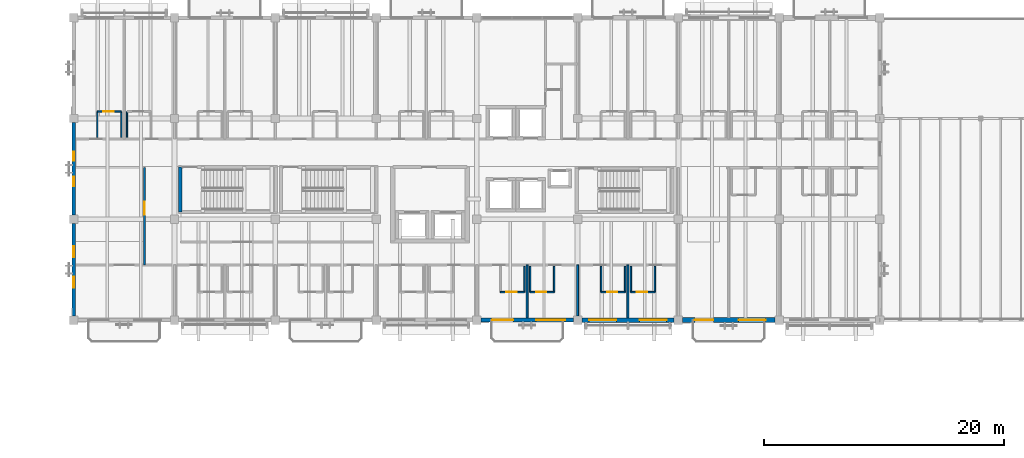
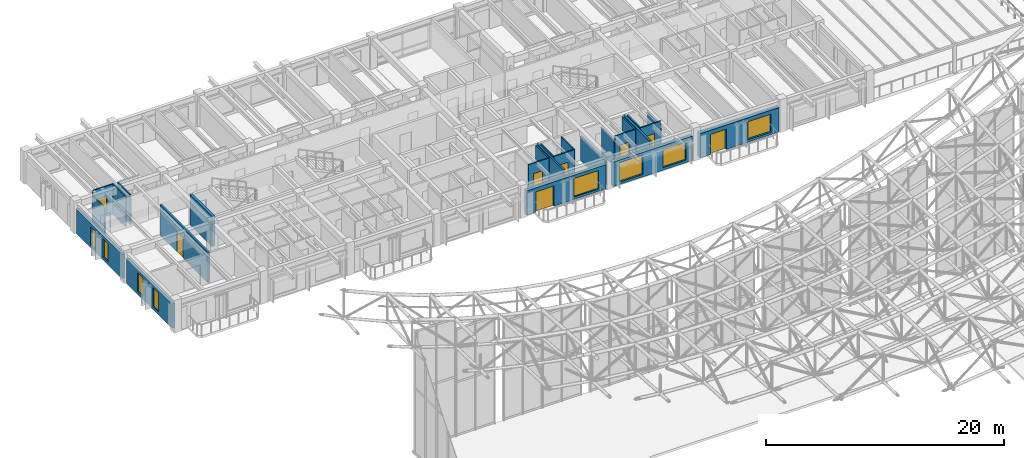
# One storey, part 78 of 93: 25 walls, 8 doors, 8 windows, 16 openings.
"""IFC4 building model written with IfcOpenShell, lengths in metres."""

from ifc_helpers import new_model, si_unit, direction, frame, frame_2d, origin, place, context, subcontext, project, spatial, rectangle, extrude, material, layer, layer_set, type_object, element, fill, save


model = new_model("IFC4")

# Units and contexts
model_context = context("Model", 3, precision=1e-05, world=origin(), true_north=direction((0.0, 1.0)))
body_context = subcontext(model_context, "Body", "Model", "MODEL_VIEW")
ifc_project = project(units=[si_unit("LENGTHUNIT", "METRE"), si_unit("AREAUNIT", "SQUARE_METRE"), si_unit("VOLUMEUNIT", "CUBIC_METRE"), si_unit("PLANEANGLEUNIT", "RADIAN"), si_unit("MASSUNIT", "GRAM", prefix="KILO")], contexts=[model_context])

# Site, building, storey
site_placement = place(None, origin())
site = spatial("IfcSite", under=ifc_project, at=site_placement, CompositionType="ELEMENT")
building_placement = place(site_placement, origin())
building = spatial("IfcBuilding", under=site, at=building_placement, Name="Cumbredor Promenade Congress Hotel", CompositionType="ELEMENT")
storey_placement = place(building_placement, frame((0.0, 0.0, 21.840087890625)))
storey = spatial("IfcBuildingStorey", under=building, at=storey_placement, Name="L06", CompositionType="ELEMENT", Elevation=21.840087890625)

# Wall, opening, door
ifc_material_1 = material(Name="Moisture-resistant gypsum board on steel studs", Category="steel")
ifc_layer_1 = layer(ifc_material_1, 0.114990234375, Name="Moisture-resistant gypsum board on steel studs", Category="steel")
ifc_layer_set_1 = layer_set([ifc_layer_1], Name="Moisture-resistant gypsum board on steel studs")
wall_type_1 = type_object("IfcWallType", Name="WL-BATH-115", PredefinedType="PARTITIONING", material=ifc_layer_set_1)
wall_1_placement = place(storey_placement, frame((1.9599609375, 109.77001953125, 0.0), z_axis=(0.0, 0.0, 1.0), x_axis=(1.0, 0.0, 0.0)))
wall_1 = element("IfcWall", 1, at=wall_1_placement, inside=storey, type_object=wall_type_1, Name="L06 Interior Partition W-L06-BH-0601", PredefinedType="PARTITIONING", context=body_context, shape_type="SweptSolid", body=[
    extrude(rectangle(XDim=2.0, YDim=0.114990234375, at=frame_2d((1.0, 0.0))), origin(), (0.0, 0.0, 1.0), 3.119873046875),
])
opening_1_placement = place(wall_1_placement, frame((0.5, 0.0, 0.0)))
opening_1 = element("IfcOpeningElement", 2, at=opening_1_placement, cuts=wall_1, Name="Opening ID-01", PredefinedType="OPENING", context=body_context, shape_type="SweptSolid", body=[
    extrude(rectangle(XDim=0.860107421875, YDim=2.050048828125, at=frame_2d((0.43017578125, 1.02490234375))), frame((0.0, 0.0673828125, 0.0), z_axis=(0.0, -1.0, 0.0), x_axis=(1.0, 0.0, 0.0)), (0.0, 0.0, 1.0), 0.135009765625),
])
ifc_material_2 = material(Name="Kiln-dried tropical hardwood", Category="wood")
door_type_1 = type_object("IfcDoorType", Name="DR-BATH-860", OperationType="NOTDEFINED", PredefinedType="DOOR", material=ifc_material_2)
door_1_placement = place(opening_1_placement, origin())
door_1 = element("IfcDoor", 3, at=door_1_placement, inside=storey, type_object=door_type_1, Name="L06 Interior Door W-L06-BH-0601-01", OperationType="SINGLE_SWING_LEFT", OverallHeight=2.050048828125, OverallWidth=0.860107421875, PredefinedType="DOOR", context=body_context, shape_type="SweptSolid", body=[
    extrude(rectangle(XDim=0.860107421875, YDim=2.050048828125, at=frame_2d((0.43017578125, 1.02490234375))), frame((0.0, 0.02490234375, 0.0), z_axis=(0.0, -1.0, 0.0), x_axis=(1.0, 0.0, 0.0)), (0.0, 0.0, 1.0), 0.050048828125),
])
fill(opening_1, door_1)

# Walls
wall_2_placement = place(storey_placement, frame((1.9599609375, 107.6201171875, 0.0), z_axis=(0.0, 0.0, 1.0), x_axis=(0.0, 1.0, 0.0)))
element("IfcWall", 4, at=wall_2_placement, inside=storey, type_object=wall_type_1, Name="L06 Interior Partition W-L06-BV1-0601", PredefinedType="PARTITIONING", context=body_context, shape_type="SweptSolid", body=[
    extrude(rectangle(XDim=2.14990234375, YDim=0.114990234375, at=frame_2d((1.074951171875, 0.0))), origin(), (0.0, 0.0, 1.0), 2.641845703125),
])
for number, where, z_axis, x_axis, name in (
    (5, (3.9599609375, 107.6201171875, 0.0), (0.0, 0.0, 1.0), (0.0, 1.0, 0.0), "L06 Interior Partition W-L06-BV2-0601"),
    (6, (4.43994140625, 107.6201171875, 0.0), (0.0, 0.0, 1.0), (0.0, 1.0, 0.0), "L06 Interior Partition W-L06-BV1-0602"),
):
    element("IfcWall", number, at=place(storey_placement, frame(where, z_axis=z_axis, x_axis=x_axis)), inside=storey, type_object=wall_type_1, Name=name, PredefinedType="PARTITIONING", context=body_context, shape_type="SweptSolid", body=[
        extrude(rectangle(XDim=2.14990234375, YDim=0.114990234375, at=frame_2d((1.074951171875, 0.0))), origin(), (0.0, 0.0, 1.0), 3.119873046875),
    ])

# Wall, opening, door
wall_3_placement = place(storey_placement, frame((35.56005859375, 94.72998046875, 0.0), z_axis=(0.0, 0.0, 1.0), x_axis=(1.0, 0.0, 0.0)))
wall_3 = element("IfcWall", 7, at=wall_3_placement, inside=storey, type_object=wall_type_1, Name="L06 Interior Partition W-L06-BH-0679", PredefinedType="PARTITIONING", context=body_context, shape_type="SweptSolid", body=[
    extrude(rectangle(XDim=2.0, YDim=0.114990234375, at=frame_2d((1.0, 0.0))), origin(), (0.0, 0.0, 1.0), 3.119873046875),
])
opening_2_placement = place(wall_3_placement, frame((0.5, 0.0, 0.0)))
opening_2 = element("IfcOpeningElement", 8, at=opening_2_placement, cuts=wall_3, Name="Opening ID-01", PredefinedType="OPENING", context=body_context, shape_type="SweptSolid", body=[
    extrude(rectangle(XDim=0.860107421875, YDim=2.050048828125, at=frame_2d((0.43017578125, 1.02490234375))), frame((0.0, 0.0673828125, 0.0), z_axis=(0.0, -1.0, 0.0), x_axis=(1.0, 0.0, 0.0)), (0.0, 0.0, 1.0), 0.135009765625),
])
door_2_placement = place(opening_2_placement, origin())
door_2 = element("IfcDoor", 9, at=door_2_placement, inside=storey, type_object=door_type_1, Name="L06 Interior Door W-L06-BH-0679-01", OperationType="SINGLE_SWING_RIGHT", OverallHeight=2.050048828125, OverallWidth=0.860107421875, PredefinedType="DOOR", context=body_context, shape_type="SweptSolid", body=[
    extrude(rectangle(XDim=0.860107421875, YDim=2.050048828125, at=frame_2d((0.43017578125, 1.02490234375))), frame((0.0, 0.02490234375, 0.0), z_axis=(0.0, -1.0, 0.0), x_axis=(1.0, 0.0, 0.0)), (0.0, 0.0, 1.0), 0.050048828125),
])
fill(opening_2, door_2)

# Wall
wall_4_placement = place(storey_placement, frame((37.56005859375, 94.72998046875, 0.0), z_axis=(0.0, 0.0, 1.0), x_axis=(0.0, 1.0, 0.0)))
element("IfcWall", 10, at=wall_4_placement, inside=storey, type_object=wall_type_1, Name="L06 Interior Partition W-L06-BV2-0679", PredefinedType="PARTITIONING", context=body_context, shape_type="SweptSolid", body=[
    extrude(rectangle(XDim=2.14990234375, YDim=0.114990234375, at=frame_2d((1.074951171875, 0.0))), origin(), (0.0, 0.0, 1.0), 3.119873046875),
])

# Wall, opening, door
wall_5_placement = place(storey_placement, frame((38.0400390625, 94.72998046875, 0.0), z_axis=(0.0, 0.0, 1.0), x_axis=(1.0, 0.0, 0.0)))
wall_5 = element("IfcWall", 11, at=wall_5_placement, inside=storey, type_object=wall_type_1, Name="L06 Interior Partition W-L06-BH-06710", PredefinedType="PARTITIONING", context=body_context, shape_type="SweptSolid", body=[
    extrude(rectangle(XDim=2.0, YDim=0.114990234375, at=frame_2d((1.0, 0.0))), origin(), (0.0, 0.0, 1.0), 3.119873046875),
])
opening_3_placement = place(wall_5_placement, frame((0.5, 0.0, 0.0)))
opening_3 = element("IfcOpeningElement", 12, at=opening_3_placement, cuts=wall_5, Name="Opening ID-01", PredefinedType="OPENING", context=body_context, shape_type="SweptSolid", body=[
    extrude(rectangle(XDim=0.860107421875, YDim=2.050048828125, at=frame_2d((0.43017578125, 1.02490234375))), frame((0.0, 0.0673828125, 0.0), z_axis=(0.0, -1.0, 0.0), x_axis=(1.0, 0.0, 0.0)), (0.0, 0.0, 1.0), 0.135009765625),
])
door_3_placement = place(opening_3_placement, origin())
door_3 = element("IfcDoor", 13, at=door_3_placement, inside=storey, type_object=door_type_1, Name="L06 Interior Door W-L06-BH-06710-01", OperationType="SINGLE_SWING_LEFT", OverallHeight=2.050048828125, OverallWidth=0.860107421875, PredefinedType="DOOR", context=body_context, shape_type="SweptSolid", body=[
    extrude(rectangle(XDim=0.860107421875, YDim=2.050048828125, at=frame_2d((0.43017578125, 1.02490234375))), frame((0.0, 0.02490234375, 0.0), z_axis=(0.0, -1.0, 0.0), x_axis=(1.0, 0.0, 0.0)), (0.0, 0.0, 1.0), 0.050048828125),
])
fill(opening_3, door_3)

# Walls
for number, where, z_axis, x_axis, name in (
    (14, (38.0400390625, 94.72998046875, 0.0), (0.0, 0.0, 1.0), (0.0, 1.0, 0.0), "L06 Interior Partition W-L06-BV1-06710"),
    (15, (40.0400390625, 94.72998046875, 0.0), (0.0, 0.0, 1.0), (0.0, 1.0, 0.0), "L06 Interior Partition W-L06-BV2-06710"),
):
    element("IfcWall", number, at=place(storey_placement, frame(where, z_axis=z_axis, x_axis=x_axis)), inside=storey, type_object=wall_type_1, Name=name, PredefinedType="PARTITIONING", context=body_context, shape_type="SweptSolid", body=[
        extrude(rectangle(XDim=2.14990234375, YDim=0.114990234375, at=frame_2d((1.074951171875, 0.0))), origin(), (0.0, 0.0, 1.0), 3.119873046875),
    ])

# Wall, opening, door
wall_6_placement = place(storey_placement, frame((43.9599609375, 94.72998046875, 0.0), z_axis=(0.0, 0.0, 1.0), x_axis=(1.0, 0.0, 0.0)))
wall_6 = element("IfcWall", 16, at=wall_6_placement, inside=storey, type_object=wall_type_1, Name="L06 Interior Partition W-L06-BH-06711", PredefinedType="PARTITIONING", context=body_context, shape_type="SweptSolid", body=[
    extrude(rectangle(XDim=2.0, YDim=0.114990234375, at=frame_2d((1.0, 0.0))), origin(), (0.0, 0.0, 1.0), 3.119873046875),
])
opening_4_placement = place(wall_6_placement, frame((0.5, 0.0, 0.0)))
opening_4 = element("IfcOpeningElement", 17, at=opening_4_placement, cuts=wall_6, Name="Opening ID-01", PredefinedType="OPENING", context=body_context, shape_type="SweptSolid", body=[
    extrude(rectangle(XDim=0.860107421875, YDim=2.050048828125, at=frame_2d((0.43017578125, 1.02490234375))), frame((0.0, 0.0673828125, 0.0), z_axis=(0.0, -1.0, 0.0), x_axis=(1.0, 0.0, 0.0)), (0.0, 0.0, 1.0), 0.135009765625),
])
door_4_placement = place(opening_4_placement, origin())
door_4 = element("IfcDoor", 18, at=door_4_placement, inside=storey, type_object=door_type_1, Name="L06 Interior Door W-L06-BH-06711-01", OperationType="SINGLE_SWING_RIGHT", OverallHeight=2.050048828125, OverallWidth=0.860107421875, PredefinedType="DOOR", context=body_context, shape_type="SweptSolid", body=[
    extrude(rectangle(XDim=0.860107421875, YDim=2.050048828125, at=frame_2d((0.43017578125, 1.02490234375))), frame((0.0, 0.02490234375, 0.0), z_axis=(0.0, -1.0, 0.0), x_axis=(1.0, 0.0, 0.0)), (0.0, 0.0, 1.0), 0.050048828125),
])
fill(opening_4, door_4)

# Walls
wall_7_placement = place(storey_placement, frame((43.9599609375, 94.72998046875, 0.0), z_axis=(0.0, 0.0, 1.0), x_axis=(0.0, 1.0, 0.0)))
element("IfcWall", 19, at=wall_7_placement, inside=storey, type_object=wall_type_1, Name="L06 Interior Partition W-L06-BV1-06711", PredefinedType="PARTITIONING", context=body_context, shape_type="SweptSolid", body=[
    extrude(rectangle(XDim=2.14990234375, YDim=0.114990234375, at=frame_2d((1.074951171875, 0.0))), origin(), (0.0, 0.0, 1.0), 2.641845703125),
])
wall_8_placement = place(storey_placement, frame((45.9599609375, 94.72998046875, 0.0), z_axis=(0.0, 0.0, 1.0), x_axis=(0.0, 1.0, 0.0)))
element("IfcWall", 20, at=wall_8_placement, inside=storey, type_object=wall_type_1, Name="L06 Interior Partition W-L06-BV2-06711", PredefinedType="PARTITIONING", context=body_context, shape_type="SweptSolid", body=[
    extrude(rectangle(XDim=2.14990234375, YDim=0.114990234375, at=frame_2d((1.074951171875, 0.0))), origin(), (0.0, 0.0, 1.0), 3.119873046875),
])

# Wall, opening, door
wall_9_placement = place(storey_placement, frame((46.43994140625, 94.72998046875, 0.0), z_axis=(0.0, 0.0, 1.0), x_axis=(1.0, 0.0, 0.0)))
wall_9 = element("IfcWall", 21, at=wall_9_placement, inside=storey, type_object=wall_type_1, Name="L06 Interior Partition W-L06-BH-06712", PredefinedType="PARTITIONING", context=body_context, shape_type="SweptSolid", body=[
    extrude(rectangle(XDim=2.0, YDim=0.114990234375, at=frame_2d((1.0, 0.0))), origin(), (0.0, 0.0, 1.0), 3.119873046875),
])
opening_5_placement = place(wall_9_placement, frame((0.5, 0.0, 0.0)))
opening_5 = element("IfcOpeningElement", 22, at=opening_5_placement, cuts=wall_9, Name="Opening ID-01", PredefinedType="OPENING", context=body_context, shape_type="SweptSolid", body=[
    extrude(rectangle(XDim=0.860107421875, YDim=2.050048828125, at=frame_2d((0.43017578125, 1.02490234375))), frame((0.0, 0.0673828125, 0.0), z_axis=(0.0, -1.0, 0.0), x_axis=(1.0, 0.0, 0.0)), (0.0, 0.0, 1.0), 0.135009765625),
])
door_5_placement = place(opening_5_placement, origin())
door_5 = element("IfcDoor", 23, at=door_5_placement, inside=storey, type_object=door_type_1, Name="L06 Interior Door W-L06-BH-06712-01", OperationType="SINGLE_SWING_LEFT", OverallHeight=2.050048828125, OverallWidth=0.860107421875, PredefinedType="DOOR", context=body_context, shape_type="SweptSolid", body=[
    extrude(rectangle(XDim=0.860107421875, YDim=2.050048828125, at=frame_2d((0.43017578125, 1.02490234375))), frame((0.0, 0.02490234375, 0.0), z_axis=(0.0, -1.0, 0.0), x_axis=(1.0, 0.0, 0.0)), (0.0, 0.0, 1.0), 0.050048828125),
])
fill(opening_5, door_5)

# Walls
wall_10_placement = place(storey_placement, frame((46.43994140625, 94.72998046875, 0.0), z_axis=(0.0, 0.0, 1.0), x_axis=(0.0, 1.0, 0.0)))
element("IfcWall", 24, at=wall_10_placement, inside=storey, type_object=wall_type_1, Name="L06 Interior Partition W-L06-BV1-06712", PredefinedType="PARTITIONING", context=body_context, shape_type="SweptSolid", body=[
    extrude(rectangle(XDim=2.14990234375, YDim=0.114990234375, at=frame_2d((1.074951171875, 0.0))), origin(), (0.0, 0.0, 1.0), 3.119873046875),
])
wall_11_placement = place(storey_placement, frame((48.43994140625, 94.72998046875, 0.0), z_axis=(0.0, 0.0, 1.0), x_axis=(0.0, 1.0, 0.0)))
element("IfcWall", 25, at=wall_11_placement, inside=storey, type_object=wall_type_1, Name="L06 Interior Partition W-L06-BV2-06712", PredefinedType="PARTITIONING", context=body_context, shape_type="SweptSolid", body=[
    extrude(rectangle(XDim=2.14990234375, YDim=0.114990234375, at=frame_2d((1.074951171875, 0.0))), origin(), (0.0, 0.0, 1.0), 2.641845703125),
])

# Wall, opening, door
ifc_material_3 = material(Name="Fire-rated hotel corridor wall")
ifc_layer_2 = layer(ifc_material_3, 0.179931640625, Name="Fire-rated hotel corridor wall")
ifc_layer_set_2 = layer_set([ifc_layer_2], Name="Fire-rated hotel corridor wall")
wall_type_2 = type_object("IfcWallType", Name="WL-CORR-180", PredefinedType="PARTITIONING", material=ifc_layer_set_2)
wall_12_placement = place(storey_placement, frame((5.89990234375, 97.0, 0.0), z_axis=(0.0, 0.0, 1.0), x_axis=(0.0, 1.0, 0.0)))
wall_12 = element("IfcWall", 26, at=wall_12_placement, inside=storey, type_object=wall_type_2, Name="L06 Interior Partition W-L06-WTEA-E", PredefinedType="PARTITIONING", context=body_context, shape_type="SweptSolid", body=[
    extrude(rectangle(XDim=8.10009765625, YDim=0.179931640625, at=frame_2d((4.050048828125, 0.0))), origin(), (0.0, 0.0, 1.0), 3.119873046875),
])
opening_6_placement = place(wall_12_placement, frame((4.179931640625, 0.0, 0.0)))
opening_6 = element("IfcOpeningElement", 27, at=opening_6_placement, cuts=wall_12, Name="Opening FD-04", PredefinedType="OPENING", context=body_context, shape_type="SweptSolid", body=[
    extrude(rectangle(XDim=1.10009765625, YDim=2.10009765625, at=frame_2d((0.550048828125, 1.050048828125))), frame((0.0, 0.10009765625, 0.0), z_axis=(0.0, -1.0, 0.0), x_axis=(1.0, 0.0, 0.0)), (0.0, 0.0, 1.0), 0.199951171875),
])
ifc_material_4 = material(Name="Painted galvanized steel fire door", Category="steel")
door_type_2 = type_object("IfcDoorType", Name="DR-SGL-FD60-1100", OperationType="NOTDEFINED", PredefinedType="DOOR", material=ifc_material_4)
door_6_placement = place(opening_6_placement, origin())
door_6 = element("IfcDoor", 28, at=door_6_placement, inside=storey, type_object=door_type_2, Name="L06 Interior Door W-L06-WTEA-E-01", OperationType="SINGLE_SWING_LEFT", OverallHeight=2.10009765625, OverallWidth=1.10009765625, PredefinedType="DOOR", context=body_context, shape_type="SweptSolid", body=[
    extrude(rectangle(XDim=1.10009765625, YDim=2.10009765625, at=frame_2d((0.550048828125, 1.050048828125))), frame((0.0, 0.02490234375, 0.0), z_axis=(0.0, -1.0, 0.0), x_axis=(1.0, 0.0, 0.0)), (0.0, 0.0, 1.0), 0.050048828125),
])
fill(opening_6, door_6)

# Wall, openings, windows
ifc_material_5 = material(Name="Concrete C40/50", Category="concrete")
ifc_layer_3 = layer(ifc_material_5, 0.260009765625, Name="Concrete C40/50", Category="concrete")
ifc_layer_set_3 = layer_set([ifc_layer_3], Name="Concrete C40/50")
wall_type_3 = type_object("IfcWallType", Name="WL-EXT-260", PredefinedType="SOLIDWALL", material=ifc_layer_set_3)
wall_13_placement = place(storey_placement, frame((0.0, 92.7509765625, 0.0), z_axis=(0.0, 0.0, 1.0), x_axis=(0.0, 1.0, 0.0)))
wall_13 = element("IfcWall", 29, at=wall_13_placement, inside=storey, type_object=wall_type_3, Name="L06 Stepped Congress Hotel Wing West Envelope Wall 1", PredefinedType="SOLIDWALL", context=body_context, shape_type="SweptSolid", body=[
    extrude(rectangle(XDim=7.697998046875, YDim=0.260009765625, at=frame_2d((3.84912109375, 0.0))), origin(), (0.0, 0.0, 1.0), 2.493896484375),
])
opening_7_placement = place(wall_13_placement, frame((2.333984375, 0.0, 0.300048828125)))
opening_7 = element("IfcOpeningElement", 30, at=opening_7_placement, cuts=wall_13, Name="Opening WN-68", PredefinedType="OPENING", context=body_context, shape_type="SweptSolid", body=[
    extrude(rectangle(XDim=0.929931640625, YDim=1.89990234375, at=frame_2d((0.46484375, 0.949951171875))), frame((0.0, 0.14013671875, 0.0), z_axis=(0.0, -1.0, 0.0), x_axis=(1.0, 0.0, 0.0)), (0.0, 0.0, 1.0), 0.280029296875),
])
opening_8_placement = place(wall_13_placement, frame((4.884033203125, 0.0, 0.300048828125)))
opening_8 = element("IfcOpeningElement", 31, at=opening_8_placement, cuts=wall_13, Name="Opening WN-68", PredefinedType="OPENING", context=body_context, shape_type="SweptSolid", body=[
    extrude(rectangle(XDim=0.929931640625, YDim=1.89990234375, at=frame_2d((0.46484375, 0.949951171875))), frame((0.0, 0.14013671875, 0.0), z_axis=(0.0, -1.0, 0.0), x_axis=(1.0, 0.0, 0.0)), (0.0, 0.0, 1.0), 0.280029296875),
])
ifc_material_6 = material(Name="Thermally broken anodized aluminium and low-E glass", Category="aluminium")
window_type_1 = type_object("IfcWindowType", Name="Vertical Slot Window WN-68 930x1900", PartitioningType="SINGLE_PANEL", PredefinedType="WINDOW", material=ifc_material_6)
window_1_placement = place(opening_7_placement, origin())
window_1 = element("IfcWindow", 32, at=window_1_placement, inside=storey, type_object=window_type_1, Name="L06 Vertical Slot Window 0605", OverallHeight=1.89990234375, OverallWidth=0.929931640625, PartitioningType="SINGLE_PANEL", PredefinedType="WINDOW", context=body_context, shape_type="SweptSolid", body=[
    extrude(rectangle(XDim=0.929931640625, YDim=1.89990234375, at=frame_2d((0.46484375, 0.949951171875))), frame((0.0, 0.030029296875, 0.0), z_axis=(0.0, -1.0, 0.0), x_axis=(1.0, 0.0, 0.0)), (0.0, 0.0, 1.0), 0.06005859375),
])
fill(opening_7, window_1)
window_2_placement = place(opening_8_placement, origin())
window_2 = element("IfcWindow", 33, at=window_2_placement, inside=storey, type_object=window_type_1, Name="L06 Vertical Slot Window 0606", OverallHeight=1.89990234375, OverallWidth=0.929931640625, PartitioningType="SINGLE_PANEL", PredefinedType="WINDOW", context=body_context, shape_type="SweptSolid", body=[
    extrude(rectangle(XDim=0.929931640625, YDim=1.89990234375, at=frame_2d((0.46484375, 0.949951171875))), frame((0.0, 0.030029296875, 0.0), z_axis=(0.0, -1.0, 0.0), x_axis=(1.0, 0.0, 0.0)), (0.0, 0.0, 1.0), 0.06005859375),
])
fill(opening_8, window_2)

ifc_layer_4 = layer(ifc_material_5, 0.280029296875, Name="Concrete C40/50", Category="concrete")
ifc_layer_set_4 = layer_set([ifc_layer_4], Name="Concrete C40/50")
wall_type_4 = type_object("IfcWallType", Name="WL-EXT-280", PredefinedType="SOLIDWALL", material=ifc_layer_set_4)
wall_14_placement = place(storey_placement, frame((0.0, 101.15087890625, 0.0), z_axis=(0.0, 0.0, 1.0), x_axis=(0.0, 1.0, 0.0)))
wall_14 = element("IfcWall", 34, at=wall_14_placement, inside=storey, type_object=wall_type_4, Name="L06 Stepped Congress Hotel Wing West Envelope Wall 2", PredefinedType="SOLIDWALL", context=body_context, shape_type="SweptSolid", body=[
    extrude(rectangle(XDim=7.6982421875, YDim=0.280029296875, at=frame_2d((3.84912109375, 0.0))), origin(), (0.0, 0.0, 1.0), 2.493896484375),
])
opening_9_placement = place(wall_14_placement, frame((2.408935546875, 0.0, 0.300048828125)))
opening_9 = element("IfcOpeningElement", 35, at=opening_9_placement, cuts=wall_14, Name="Opening WN-46", PredefinedType="OPENING", context=body_context, shape_type="SweptSolid", body=[
    extrude(rectangle(XDim=0.780029296875, YDim=1.85009765625, at=frame_2d((0.39013671875, 0.925048828125))), frame((0.0, 0.14990234375, 0.0), z_axis=(0.0, -1.0, 0.0), x_axis=(1.0, 0.0, 0.0)), (0.0, 0.0, 1.0), 0.300048828125),
])
opening_10_placement = place(wall_14_placement, frame((4.509033203125, 0.0, 0.300048828125)))
opening_10 = element("IfcOpeningElement", 36, at=opening_10_placement, cuts=wall_14, Name="Opening WN-46", PredefinedType="OPENING", context=body_context, shape_type="SweptSolid", body=[
    extrude(rectangle(XDim=0.780029296875, YDim=1.85009765625, at=frame_2d((0.39013671875, 0.925048828125))), frame((0.0, 0.14990234375, 0.0), z_axis=(0.0, -1.0, 0.0), x_axis=(1.0, 0.0, 0.0)), (0.0, 0.0, 1.0), 0.300048828125),
])
window_type_2 = type_object("IfcWindowType", Name="Vertical Slot Window WN-46 780x1850", PartitioningType="SINGLE_PANEL", PredefinedType="WINDOW", material=ifc_material_6)
window_3_placement = place(opening_9_placement, origin())
window_3 = element("IfcWindow", 37, at=window_3_placement, inside=storey, type_object=window_type_2, Name="L06 Vertical Slot Window 0607", OverallHeight=1.85009765625, OverallWidth=0.780029296875, PartitioningType="SINGLE_PANEL", PredefinedType="WINDOW", context=body_context, shape_type="SweptSolid", body=[
    extrude(rectangle(XDim=0.780029296875, YDim=1.85009765625, at=frame_2d((0.39013671875, 0.925048828125))), frame((0.0, 0.030029296875, 0.0), z_axis=(0.0, -1.0, 0.0), x_axis=(1.0, 0.0, 0.0)), (0.0, 0.0, 1.0), 0.06005859375),
])
fill(opening_9, window_3)
window_4_placement = place(opening_10_placement, origin())
window_4 = element("IfcWindow", 38, at=window_4_placement, inside=storey, type_object=window_type_2, Name="L06 Vertical Slot Window 0608", OverallHeight=1.85009765625, OverallWidth=0.780029296875, PartitioningType="SINGLE_PANEL", PredefinedType="WINDOW", context=body_context, shape_type="SweptSolid", body=[
    extrude(rectangle(XDim=0.780029296875, YDim=1.85009765625, at=frame_2d((0.39013671875, 0.925048828125))), frame((0.0, 0.030029296875, 0.0), z_axis=(0.0, -1.0, 0.0), x_axis=(1.0, 0.0, 0.0)), (0.0, 0.0, 1.0), 0.06005859375),
])
fill(opening_10, window_4)

# Wall, openings, door, window
ifc_layer_5 = layer(ifc_material_5, 0.35009765625, Name="Concrete C40/50", Category="concrete")
ifc_layer_set_5 = layer_set([ifc_layer_5], Name="Concrete C40/50")
wall_type_5 = type_object("IfcWallType", Name="WL-EXT-350", PredefinedType="SOLIDWALL", material=ifc_layer_set_5)
wall_15_placement = place(storey_placement, frame((33.950927734375, 92.39990234375, 0.0), z_axis=(0.0, 0.0, 1.0), x_axis=(1.0, 0.0, 0.0)))
wall_15 = element("IfcWall", 39, at=wall_15_placement, inside=storey, type_object=wall_type_5, Name="L06 Stepped Congress Hotel Wing South Envelope Wall 5", PredefinedType="SOLIDWALL", context=body_context, shape_type="SweptSolid", body=[
    extrude(rectangle(XDim=7.697998046875, YDim=0.35009765625, at=frame_2d((3.84912109375, 0.0))), origin(), (0.0, 0.0, 1.0), 2.493896484375),
])
opening_11_placement = place(wall_15_placement, frame((0.924072265625, 0.0, 0.0)))
opening_11 = element("IfcOpeningElement", 40, at=opening_11_placement, cuts=wall_15, Name="Opening TD-03", PredefinedType="OPENING", context=body_context, shape_type="SweptSolid", body=[
    extrude(rectangle(XDim=1.75, YDim=2.080078125, at=frame_2d((0.875, 1.0400390625))), frame((0.0, 0.18505859375, 0.0), z_axis=(0.0, -1.0, 0.0), x_axis=(1.0, 0.0, 0.0)), (0.0, 0.0, 1.0), 0.3701171875),
])
opening_12_placement = place(wall_15_placement, frame((4.589111328125, 0.0, 0.25)))
opening_12 = element("IfcOpeningElement", 41, at=opening_12_placement, cuts=wall_15, Name="Opening WN-37", PredefinedType="OPENING", context=body_context, shape_type="SweptSolid", body=[
    extrude(rectangle(XDim=2.419921875, YDim=1.89990234375, at=frame_2d((1.2099609375, 0.949951171875))), frame((0.0, 0.18505859375, 0.0), z_axis=(0.0, -1.0, 0.0), x_axis=(1.0, 0.0, 0.0)), (0.0, 0.0, 1.0), 0.3701171875),
])
ifc_material_7 = material(Name="Thermally broken anodized aluminium and laminated safety glass", Category="aluminium")
door_type_3 = type_object("IfcDoorType", Name="EXT-DR-TER-1750x2080", OperationType="DOUBLE_DOOR_SINGLE_SWING", PredefinedType="DOOR", material=ifc_material_7)
door_7_placement = place(opening_11_placement, frame((1.75, 0.0, 0.0), z_axis=(0.0, 0.0, 1.0), x_axis=(-1.0, 0.0, 0.0)))
door_7 = element("IfcDoor", 42, at=door_7_placement, inside=storey, type_object=door_type_3, Name="L06 Guestroom Veranda Balcony Door 068", OperationType="DOUBLE_DOOR_SINGLE_SWING", OverallHeight=2.080078125, OverallWidth=1.75, PredefinedType="DOOR", context=body_context, shape_type="SweptSolid", body=[
    extrude(rectangle(XDim=1.75, YDim=2.080078125, at=frame_2d((0.875, 1.0400390625))), frame((0.0, 0.02490234375, 0.0), z_axis=(0.0, -1.0, 0.0), x_axis=(1.0, 0.0, 0.0)), (0.0, 0.0, 1.0), 0.050048828125),
])
fill(opening_11, door_7)
window_type_3 = type_object("IfcWindowType", Name="Hospitality Floor-to-Ceiling Window WN-37 2420x1900", PartitioningType="DOUBLE_PANEL_VERTICAL", PredefinedType="WINDOW", material=ifc_material_6)
window_5_placement = place(opening_12_placement, origin())
window_5 = element("IfcWindow", 43, at=window_5_placement, inside=storey, type_object=window_type_3, Name="L06 Veranda Companion Floor-to-Ceiling Window 0589", OverallHeight=1.89990234375, OverallWidth=2.419921875, PartitioningType="DOUBLE_PANEL_VERTICAL", PredefinedType="WINDOW", context=body_context, shape_type="SweptSolid", body=[
    extrude(rectangle(XDim=2.419921875, YDim=1.89990234375, at=frame_2d((1.2099609375, 0.949951171875))), frame((0.0, 0.030029296875, 0.0), z_axis=(0.0, -1.0, 0.0), x_axis=(1.0, 0.0, 0.0)), (0.0, 0.0, 1.0), 0.06005859375),
])
fill(opening_12, window_5)

# Wall, openings, windows
ifc_layer_6 = layer(ifc_material_5, 0.3798828125, Name="Concrete C40/50", Category="concrete")
ifc_layer_set_6 = layer_set([ifc_layer_6], Name="Concrete C40/50")
wall_type_6 = type_object("IfcWallType", Name="WL-EXT-380", PredefinedType="SOLIDWALL", material=ifc_layer_set_6)
wall_16_placement = place(storey_placement, frame((42.35107421875, 92.39990234375, 0.0), z_axis=(0.0, 0.0, 1.0), x_axis=(1.0, 0.0, 0.0)))
wall_16 = element("IfcWall", 44, at=wall_16_placement, inside=storey, type_object=wall_type_6, Name="L06 Stepped Congress Hotel Wing South Envelope Wall 6", PredefinedType="SOLIDWALL", context=body_context, shape_type="SweptSolid", body=[
    extrude(rectangle(XDim=7.697998046875, YDim=0.3798828125, at=frame_2d((3.84912109375, 0.0))), origin(), (0.0, 0.0, 1.0), 2.493896484375),
])
opening_13_placement = place(wall_16_placement, frame((0.60888671875, 0.0, 0.25)))
opening_13 = element("IfcOpeningElement", 45, at=opening_13_placement, cuts=wall_16, Name="Opening WN-40", PredefinedType="OPENING", context=body_context, shape_type="SweptSolid", body=[
    extrude(rectangle(XDim=2.280029296875, YDim=2.0, at=frame_2d((1.14013671875, 1.0))), frame((0.0, 0.199951171875, 0.0), z_axis=(0.0, -1.0, 0.0), x_axis=(1.0, 0.0, 0.0)), (0.0, 0.0, 1.0), 0.39990234375),
])
opening_14_placement = place(wall_16_placement, frame((4.823974609375, 0.0, 0.25)))
opening_14 = element("IfcOpeningElement", 46, at=opening_14_placement, cuts=wall_16, Name="Opening WN-01", PredefinedType="OPENING", context=body_context, shape_type="SweptSolid", body=[
    extrude(rectangle(XDim=2.25, YDim=1.85009765625, at=frame_2d((1.125, 0.925048828125))), frame((0.0, 0.199951171875, 0.0), z_axis=(0.0, -1.0, 0.0), x_axis=(1.0, 0.0, 0.0)), (0.0, 0.0, 1.0), 0.39990234375),
])
window_type_4 = type_object("IfcWindowType", Name="Hospitality Floor-to-Ceiling Window WN-01 2250x1850", PartitioningType="DOUBLE_PANEL_VERTICAL", PredefinedType="WINDOW", material=ifc_material_6)
window_6_placement = place(opening_14_placement, origin())
window_6 = element("IfcWindow", 47, at=window_6_placement, inside=storey, type_object=window_type_4, Name="L06 Wide Hospitality Window 0591", OverallHeight=1.85009765625, OverallWidth=2.25, PartitioningType="DOUBLE_PANEL_VERTICAL", PredefinedType="WINDOW", context=body_context, shape_type="SweptSolid", body=[
    extrude(rectangle(XDim=2.25, YDim=1.85009765625, at=frame_2d((1.125, 0.925048828125))), frame((0.0, 0.030029296875, 0.0), z_axis=(0.0, -1.0, 0.0), x_axis=(1.0, 0.0, 0.0)), (0.0, 0.0, 1.0), 0.06005859375),
])
fill(opening_14, window_6)
window_type_5 = type_object("IfcWindowType", Name="Hospitality Floor-to-Ceiling Window WN-40 2280x2000", PartitioningType="DOUBLE_PANEL_VERTICAL", PredefinedType="WINDOW", material=ifc_material_6)
window_7_placement = place(opening_13_placement, origin())
window_7 = element("IfcWindow", 48, at=window_7_placement, inside=storey, type_object=window_type_5, Name="L06 Wide Hospitality Window 0590", OverallHeight=2.0, OverallWidth=2.280029296875, PartitioningType="DOUBLE_PANEL_VERTICAL", PredefinedType="WINDOW", context=body_context, shape_type="SweptSolid", body=[
    extrude(rectangle(XDim=2.280029296875, YDim=2.0, at=frame_2d((1.14013671875, 1.0))), frame((0.0, 0.030029296875, 0.0), z_axis=(0.0, -1.0, 0.0), x_axis=(1.0, 0.0, 0.0)), (0.0, 0.0, 1.0), 0.06005859375),
])
fill(opening_13, window_7)

# Wall, openings, door, window
ifc_layer_7 = layer(ifc_material_5, 0.425048828125, Name="Concrete C40/50", Category="concrete")
ifc_layer_set_7 = layer_set([ifc_layer_7], Name="Concrete C40/50")
wall_type_7 = type_object("IfcWallType", Name="WL-EXT-425", PredefinedType="SOLIDWALL", material=ifc_layer_set_7)
wall_17_placement = place(storey_placement, frame((50.7509765625, 92.39990234375, 0.0), z_axis=(0.0, 0.0, 1.0), x_axis=(1.0, 0.0, 0.0)))
wall_17 = element("IfcWall", 49, at=wall_17_placement, inside=storey, type_object=wall_type_7, Name="L06 Stepped Congress Hotel Wing South Envelope Wall 7", PredefinedType="SOLIDWALL", context=body_context, shape_type="SweptSolid", body=[
    extrude(rectangle(XDim=7.697998046875, YDim=0.425048828125, at=frame_2d((3.84912109375, 0.0))), origin(), (0.0, 0.0, 1.0), 2.493896484375),
])
opening_15_placement = place(wall_17_placement, frame((1.02392578125, 0.0, 0.0)))
opening_15 = element("IfcOpeningElement", 50, at=opening_15_placement, cuts=wall_17, Name="Opening TD-01", PredefinedType="OPENING", context=body_context, shape_type="SweptSolid", body=[
    extrude(rectangle(XDim=1.550048828125, YDim=2.080078125, at=frame_2d((0.77490234375, 1.0400390625))), frame((0.0, 0.22265625, 0.0), z_axis=(0.0, -1.0, 0.0), x_axis=(1.0, 0.0, 0.0)), (0.0, 0.0, 1.0), 0.445068359375),
])
opening_16_placement = place(wall_17_placement, frame((4.674072265625, 0.0, 0.25)))
opening_16 = element("IfcOpeningElement", 51, at=opening_16_placement, cuts=wall_17, Name="Opening WN-01", PredefinedType="OPENING", context=body_context, shape_type="SweptSolid", body=[
    extrude(rectangle(XDim=2.25, YDim=1.85009765625, at=frame_2d((1.125, 0.925048828125))), frame((0.0, 0.22265625, 0.0), z_axis=(0.0, -1.0, 0.0), x_axis=(1.0, 0.0, 0.0)), (0.0, 0.0, 1.0), 0.445068359375),
])
door_type_4 = type_object("IfcDoorType", Name="EXT-DR-TER-1550x2080", OperationType="DOUBLE_DOOR_SINGLE_SWING", PredefinedType="DOOR", material=ifc_material_7)
door_8_placement = place(opening_15_placement, frame((1.550048828125, 0.0, 0.0), z_axis=(0.0, 0.0, 1.0), x_axis=(-1.0, 0.0, 0.0)))
door_8 = element("IfcDoor", 52, at=door_8_placement, inside=storey, type_object=door_type_4, Name="L06 Guestroom Veranda Balcony Door 069", OperationType="DOUBLE_DOOR_SINGLE_SWING", OverallHeight=2.080078125, OverallWidth=1.550048828125, PredefinedType="DOOR", context=body_context, shape_type="SweptSolid", body=[
    extrude(rectangle(XDim=1.550048828125, YDim=2.080078125, at=frame_2d((0.77490234375, 1.0400390625))), frame((0.0, 0.02490234375, 0.0), z_axis=(0.0, -1.0, 0.0), x_axis=(1.0, 0.0, 0.0)), (0.0, 0.0, 1.0), 0.050048828125),
])
fill(opening_15, door_8)
window_8_placement = place(opening_16_placement, origin())
window_8 = element("IfcWindow", 53, at=window_8_placement, inside=storey, type_object=window_type_4, Name="L06 Veranda Companion Floor-to-Ceiling Window 0592", OverallHeight=1.85009765625, OverallWidth=2.25, PartitioningType="DOUBLE_PANEL_VERTICAL", PredefinedType="WINDOW", context=body_context, shape_type="SweptSolid", body=[
    extrude(rectangle(XDim=2.25, YDim=1.85009765625, at=frame_2d((1.125, 0.925048828125))), frame((0.0, 0.030029296875, 0.0), z_axis=(0.0, -1.0, 0.0), x_axis=(1.0, 0.0, 0.0)), (0.0, 0.0, 1.0), 0.06005859375),
])
fill(opening_16, window_8)

# Walls
ifc_layer_8 = layer(ifc_material_5, 0.2548828125, Name="Concrete C40/50", Category="concrete")
ifc_layer_set_8 = layer_set([ifc_layer_8], Name="Concrete C40/50")
wall_type_8 = type_object("IfcWallType", Name="WL-SHAFT-250", PredefinedType="SOLIDWALL", material=ifc_layer_set_8)
wall_18_placement = place(storey_placement, frame((8.8798828125, 101.419921875, 0.0), z_axis=(0.0, 0.0, 1.0), x_axis=(0.0, 1.0, 0.0)))
element("IfcWall", 54, at=wall_18_placement, inside=storey, type_object=wall_type_8, Name="STAIR-ST-01-L06 Shaft Wall West", PredefinedType="SOLIDWALL", context=body_context, shape_type="SweptSolid", body=[
    extrude(rectangle(XDim=3.72998046875, YDim=0.2548828125, at=frame_2d((1.864990234375, 0.0))), origin(), (0.0, 0.0, 1.0), 3.119873046875),
])
ifc_material_8 = material(Name="Fire-rated acoustic double-stud partition")
ifc_layer_9 = layer(ifc_material_8, 0.1650390625, Name="Fire-rated acoustic double-stud partition")
ifc_layer_set_9 = layer_set([ifc_layer_9], Name="Fire-rated acoustic double-stud partition")
wall_type_9 = type_object("IfcWallType", Name="WL-UNIT-165", PredefinedType="PARTITIONING", material=ifc_layer_set_9)
wall_19_placement = place(storey_placement, frame((37.800048828125, 92.574951171875, 0.0), z_axis=(0.0, 0.0, 1.0), x_axis=(0.0, 1.0, 0.0)))
element("IfcWall", 55, at=wall_19_placement, inside=storey, type_object=wall_type_9, Name="L06 Interior Partition W-L06-SC-DIV-4-M", PredefinedType="PARTITIONING", context=body_context, shape_type="SweptSolid", body=[
    extrude(rectangle(XDim=4.425048828125, YDim=0.1650390625, at=frame_2d((2.21240234375, 0.0))), origin(), (0.0, 0.0, 1.0), 3.119873046875),
])
wall_20_placement = place(storey_placement, frame((46.199951171875, 92.590087890625, 0.0), z_axis=(0.0, 0.0, 1.0), x_axis=(0.0, 1.0, 0.0)))
element("IfcWall", 56, at=wall_20_placement, inside=storey, type_object=wall_type_9, Name="L06 Interior Partition W-L06-SC-DIV-5-M", PredefinedType="PARTITIONING", context=body_context, shape_type="SweptSolid", body=[
    extrude(rectangle(XDim=4.409912109375, YDim=0.1650390625, at=frame_2d((2.205078125, 0.0))), origin(), (0.0, 0.0, 1.0), 3.119873046875),
])
wall_21_placement = place(storey_placement, frame((42.0, 92.75, 0.0), z_axis=(0.0, 0.0, 1.0), x_axis=(0.0, 1.0, 0.0)))
element("IfcWall", 57, at=wall_21_placement, inside=storey, type_object=wall_type_9, Name="L06 Interior Partition W-L06-SC-DIV-5-G", PredefinedType="PARTITIONING", context=body_context, shape_type="SweptSolid", body=[
    extrude(rectangle(XDim=4.25, YDim=0.1650390625, at=frame_2d((2.125, 0.0))), origin(), (0.0, 0.0, 1.0), 2.454833984375),
])

save(model, "model.ifc")
